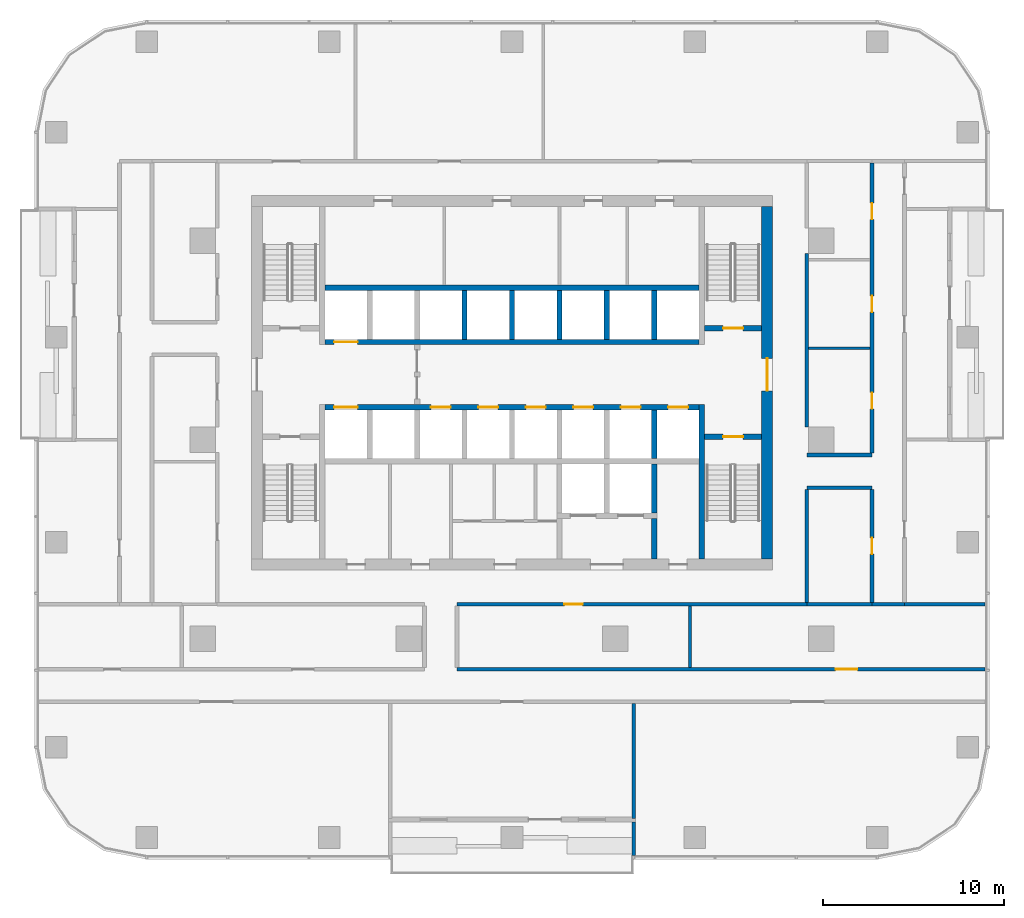
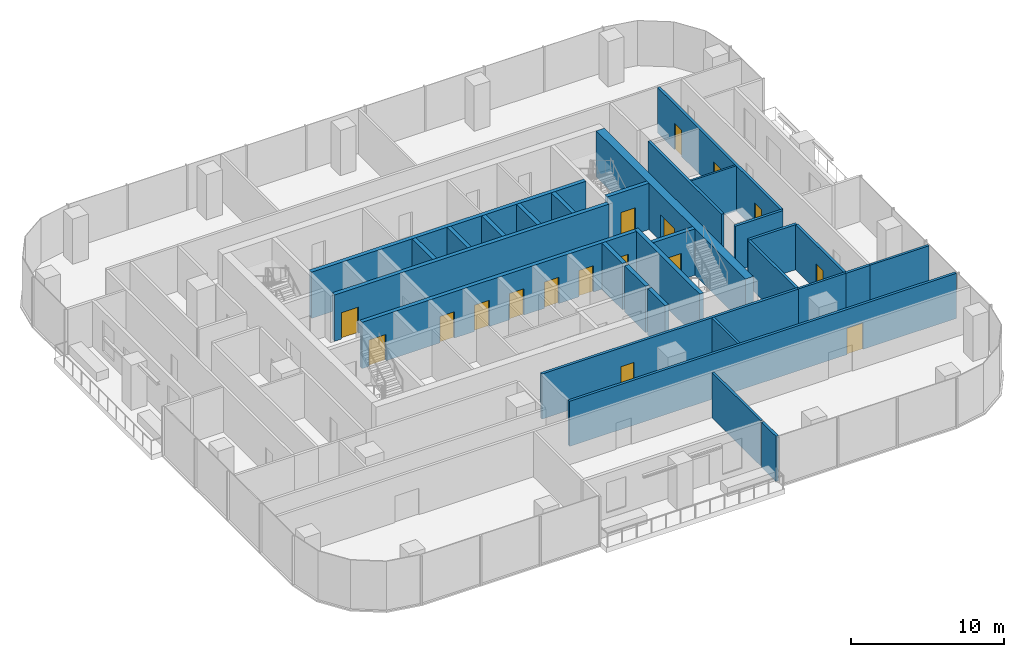
# One storey, part 9 of 15: 30 walls, 17 doors, 17 openings.
"""IFC4 building model written with IfcOpenShell, lengths in metres."""

from ifc_helpers import new_model, si_unit, direction, frame, frame_2d, origin, place, context, subcontext, project, spatial, rectangle, extrude, material, layer, layer_set, type_object, element, fill, save


model = new_model("IFC4")

# Units and contexts
model_context = context("Model", 3, precision=1e-05, world=origin(), true_north=direction((0.0, 1.0)))
body_context = subcontext(model_context, "Body", "Model", "MODEL_VIEW")
ifc_project = project(units=[si_unit("LENGTHUNIT", "METRE"), si_unit("AREAUNIT", "SQUARE_METRE"), si_unit("VOLUMEUNIT", "CUBIC_METRE"), si_unit("PLANEANGLEUNIT", "RADIAN"), si_unit("MASSUNIT", "GRAM", prefix="KILO")], contexts=[model_context])

# Site, building, storey
site_placement = place(None, origin())
site = spatial("IfcSite", under=ifc_project, at=site_placement, CompositionType="ELEMENT")
building_placement = place(site_placement, origin())
building = spatial("IfcBuilding", under=site, at=building_placement, Name="Mopane Tessera Tower", CompositionType="ELEMENT")
storey_placement = place(building_placement, frame((0.0, 0.0, 173.0)))
storey = spatial("IfcBuildingStorey", under=building, at=storey_placement, Name="L35", CompositionType="ELEMENT", Elevation=173.0)

# Wall, opening, door
ifc_material_1 = material(Name="Concrete C70/85", Category="concrete")
ifc_layer_1 = layer(ifc_material_1, 0.60009765625)
ifc_layer_set_1 = layer_set([ifc_layer_1], Name="Concrete C70/85")
wall_type_1 = type_object("IfcWallType", Name="Core shear wall 600 mm", PredefinedType="SHEAR", material=ifc_layer_set_1)
wall_1_placement = place(storey_placement, frame((14.10009765625, -6.60009765625, 0.0), z_axis=(0.0, 0.0, 1.0), x_axis=(0.0, 1.0, 0.0)))
wall_1 = element("IfcWall", 1, at=wall_1_placement, inside=storey, type_object=wall_type_1, Name="L35 Core wall east", PredefinedType="SHEAR", context=body_context, shape_type="SweptSolid", body=[
    extrude(rectangle(XDim=19.5, YDim=0.60009765625, at=frame_2d((9.75, 0.0))), origin(), (0.0, 0.0, 1.0), 3.699951171875),
])
opening_1_placement = place(wall_1_placement, frame((9.300048828125, 0.0, 0.0)))
opening_1 = element("IfcOpeningElement", 2, at=opening_1_placement, cuts=wall_1, Name="Opening SD2", PredefinedType="OPENING", context=body_context, shape_type="SweptSolid", body=[
    extrude(rectangle(XDim=1.800048828125, YDim=2.10009765625, at=frame_2d((0.89990234375, 1.050048828125))), frame((0.0, 0.31201171875, 0.0), z_axis=(0.0, -1.0, 0.0), x_axis=(1.0, 0.0, 0.0)), (0.0, 0.0, 1.0), 0.6240234375),
])
ifc_material_2 = material(Name="Steel fire door", Category="steel")
door_type_1 = type_object("IfcDoorType", Name="Core entrance double door 1800 x 2100", OperationType="DOUBLE_DOOR_SINGLE_SWING", PredefinedType="DOOR", material=ifc_material_2)
door_1_placement = place(opening_1_placement, origin())
door_1 = element("IfcDoor", 3, at=door_1_placement, inside=storey, type_object=door_type_1, Name="L35 Core entrance door east", OperationType="DOUBLE_DOOR_SINGLE_SWING", OverallHeight=2.10009765625, OverallWidth=1.800048828125, PredefinedType="DOOR", context=body_context, shape_type="SweptSolid", body=[
    extrude(rectangle(XDim=1.800048828125, YDim=2.10009765625, at=frame_2d((0.89990234375, 1.050048828125))), frame((0.0, 0.02490234375, 0.0), z_axis=(0.0, -1.0, 0.0), x_axis=(1.0, 0.0, 0.0)), (0.0, 0.0, 1.0), 0.050048828125),
])
fill(opening_1, door_1)

# Walls
ifc_material_3 = material(Name="Concrete C60/75", Category="concrete")
ifc_layer_2 = layer(ifc_material_3, 0.300048828125)
ifc_layer_set_2 = layer_set([ifc_layer_2], Name="Concrete C60/75")
wall_type_2 = type_object("IfcWallType", Name="Core spine wall 300 mm", PredefinedType="SHEAR", material=ifc_layer_set_2)
wall_2_placement = place(storey_placement, frame((10.5, -6.60009765625, 0.0), z_axis=(0.0, 0.0, 1.0), x_axis=(0.0, 1.0, 0.0)))
element("IfcWall", 4, at=wall_2_placement, inside=storey, type_object=wall_type_2, Name="L35 Core spine wall", PredefinedType="SHEAR", context=body_context, shape_type="SweptSolid", body=[
    extrude(rectangle(XDim=8.550048828125, YDim=0.300048828125, at=frame_2d((4.27490234375, 0.0))), origin(), (0.0, 0.0, 1.0), 3.699951171875),
])
ifc_material_4 = material(Name="Gypsum board on staggered steel studs, double layer each face, acoustic mineral wool infill", Category="steel")
ifc_layer_3 = layer(ifc_material_4, 0.175048828125)
ifc_layer_set_3 = layer_set([ifc_layer_3], Name="Gypsum board on staggered steel studs, double layer each face, acoustic mineral wool infill")
wall_type_3 = type_object("IfcWallType", Name="Gypsum board acoustic partition 175, rated EI 60", PredefinedType="PARTITIONING", material=ifc_layer_set_3)
wall_3_placement = place(storey_placement, frame((16.300048828125, -9.10009765625, 0.0), z_axis=(0.0, 0.0, 1.0), x_axis=(1.0, 0.0, 0.0)))
element("IfcWall", 5, at=wall_3_placement, inside=storey, type_object=wall_type_3, Name="Partition L35:006", PredefinedType="PARTITIONING", context=body_context, shape_type="SweptSolid", body=[
    extrude(rectangle(XDim=3.599853515625, YDim=0.175048828125, at=frame_2d((1.7998046875, 0.0))), origin(), (0.0, 0.0, 1.0), 3.60009765625),
])
wall_4_placement = place(storey_placement, frame((21.699951171875, -9.10009765625, 0.0), z_axis=(0.0, 0.0, 1.0), x_axis=(1.0, 0.0, 0.0)))
element("IfcWall", 6, at=wall_4_placement, inside=storey, type_object=wall_type_3, Name="Partition L35:007", PredefinedType="PARTITIONING", context=body_context, shape_type="SweptSolid", body=[
    extrude(rectangle(XDim=4.449951171875, YDim=0.175048828125, at=frame_2d((2.22509765625, 0.0))), origin(), (0.0, 0.0, 1.0), 3.60009765625),
])
wall_5_placement = place(storey_placement, frame((6.735107421875, -20.949951171875, 0.0), z_axis=(0.0, 0.0, 1.0), x_axis=(0.0, 1.0, 0.0)))
element("IfcWall", 7, at=wall_5_placement, inside=storey, type_object=wall_type_3, Name="Partition L35:042", PredefinedType="PARTITIONING", context=body_context, shape_type="SweptSolid", body=[
    extrude(rectangle(XDim=6.349853515625, YDim=0.175048828125, at=frame_2d((3.1748046875, 0.0))), origin(), (0.0, 0.0, 1.0), 3.60009765625),
])
wall_6_placement = place(storey_placement, frame((9.844970703125, -12.60009765625, 0.0), z_axis=(0.0, 0.0, 1.0), x_axis=(0.0, 1.0, 0.0)))
element("IfcWall", 8, at=wall_6_placement, inside=storey, type_object=wall_type_3, Name="Partition L35:043", PredefinedType="PARTITIONING", context=body_context, shape_type="SweptSolid", body=[
    extrude(rectangle(XDim=3.400146484375, YDim=0.175048828125, at=frame_2d((1.7001953125, 0.0))), origin(), (0.0, 0.0, 1.0), 3.60009765625),
])

# Wall, opening, door
ifc_material_5 = material(Name="Gypsum board on steel studs, two layers each face, mineral wool infill", Category="steel")
ifc_layer_4 = layer(ifc_material_5, 0.199951171875)
ifc_layer_set_4 = layer_set([ifc_layer_4], Name="Gypsum board on steel studs, two layers each face, mineral wool infill")
wall_type_4 = type_object("IfcWallType", Name="Gypsum board corridor wall 200, rated EI 60", PredefinedType="PARTITIONING", material=ifc_layer_set_4)
wall_7_placement = place(storey_placement, frame((-3.0400390625, -12.699951171875, 0.0), z_axis=(0.0, 0.0, 1.0), x_axis=(1.0, 0.0, 0.0)))
wall_7 = element("IfcWall", 9, at=wall_7_placement, inside=storey, type_object=wall_type_4, Name="Partition L35:002", PredefinedType="PARTITIONING", context=body_context, shape_type="SweptSolid", body=[
    extrude(rectangle(XDim=29.18994140625, YDim=0.199951171875, at=frame_2d((14.594970703125, 0.0))), origin(), (0.0, 0.0, 1.0), 3.60009765625),
])
opening_2_placement = place(wall_7_placement, frame((20.9375, 0.0, 0.0)))
opening_2 = element("IfcOpeningElement", 10, at=opening_2_placement, cuts=wall_7, Name="Opening L35-05", PredefinedType="OPENING", context=body_context, shape_type="SweptSolid", body=[
    extrude(rectangle(XDim=1.199951171875, YDim=2.10009765625, at=frame_2d((0.60009765625, 1.050048828125))), frame((0.0, 0.112060546875, 0.0), z_axis=(0.0, -1.0, 0.0), x_axis=(1.0, 0.0, 0.0)), (0.0, 0.0, 1.0), 0.223876953125),
])
ifc_material_6 = material(Name="Timber veneered steel-framed fire door", Category="steel")
door_type_2 = type_object("IfcDoorType", Name="Fire door FD60 1200 x 2100", OperationType="SINGLE_SWING_LEFT", PredefinedType="DOOR", material=ifc_material_6)
door_2_placement = place(opening_2_placement, origin())
door_2 = element("IfcDoor", 11, at=door_2_placement, inside=storey, type_object=door_type_2, Name="Door L35-05", ObjectType="D15A", OperationType="SINGLE_SWING_RIGHT", OverallHeight=2.10009765625, OverallWidth=1.199951171875, PredefinedType="DOOR", context=body_context, shape_type="SweptSolid", body=[
    extrude(rectangle(XDim=1.199951171875, YDim=2.10009765625, at=frame_2d((0.60009765625, 1.050048828125))), frame((0.0, 0.02490234375, 0.0), z_axis=(0.0, -1.0, 0.0), x_axis=(1.0, 0.0, 0.0)), (0.0, 0.0, 1.0), 0.050048828125),
])
fill(opening_2, door_2)

wall_8_placement = place(storey_placement, frame((-3.0400390625, -9.10009765625, 0.0), z_axis=(0.0, 0.0, 1.0), x_axis=(1.0, 0.0, 0.0)))
wall_8 = element("IfcWall", 12, at=wall_8_placement, inside=storey, type_object=wall_type_4, Name="Partition L35:010", PredefinedType="PARTITIONING", context=body_context, shape_type="SweptSolid", body=[
    extrude(rectangle(XDim=19.340087890625, YDim=0.199951171875, at=frame_2d((9.669921875, 0.0))), origin(), (0.0, 0.0, 1.0), 3.60009765625),
])
opening_3_placement = place(wall_8_placement, frame((5.9423828125, 0.0, 0.0)))
opening_3 = element("IfcOpeningElement", 13, at=opening_3_placement, cuts=wall_8, Name="Opening L35-12", PredefinedType="OPENING", context=body_context, shape_type="SweptSolid", body=[
    extrude(rectangle(XDim=1.0, YDim=2.10009765625, at=frame_2d((0.5, 1.050048828125))), frame((0.0, 0.112060546875, 0.0), z_axis=(0.0, -1.0, 0.0), x_axis=(1.0, 0.0, 0.0)), (0.0, 0.0, 1.0), 0.223876953125),
])
ifc_material_7 = material(Name="Timber veneered steel-framed fire door", Category="steel")
door_type_3 = type_object("IfcDoorType", Name="Fire door FD60 1000 x 2100", OperationType="SINGLE_SWING_LEFT", PredefinedType="DOOR", material=ifc_material_7)
door_3_placement = place(opening_3_placement, origin())
door_3 = element("IfcDoor", 14, at=door_3_placement, inside=storey, type_object=door_type_3, Name="Door L35-12", ObjectType="D12A", OperationType="SINGLE_SWING_RIGHT", OverallHeight=2.10009765625, OverallWidth=1.0, PredefinedType="DOOR", context=body_context, shape_type="SweptSolid", body=[
    extrude(rectangle(XDim=1.0, YDim=2.10009765625, at=frame_2d((0.5, 1.050048828125))), frame((0.0, 0.02490234375, 0.0), z_axis=(0.0, -1.0, 0.0), x_axis=(1.0, 0.0, 0.0)), (0.0, 0.0, 1.0), 0.050048828125),
])
fill(opening_3, door_3)

# Walls
wall_9_placement = place(storey_placement, frame((19.89990234375, -9.10009765625, 0.0), z_axis=(0.0, 0.0, 1.0), x_axis=(1.0, 0.0, 0.0)))
element("IfcWall", 15, at=wall_9_placement, inside=storey, type_object=wall_type_4, Name="Partition L35:011", PredefinedType="PARTITIONING", context=body_context, shape_type="SweptSolid", body=[
    extrude(rectangle(XDim=1.800048828125, YDim=0.199951171875, at=frame_2d((0.89990234375, 0.0))), origin(), (0.0, 0.0, 1.0), 3.60009765625),
])
for number, where, z_axis, x_axis, name in (
    (16, (16.300048828125, -2.64990234375, 0.0), (0.0, 0.0, 1.0), (1.0, 0.0, 0.0), "Partition L35:012"),
    (17, (16.300048828125, -0.85009765625, 0.0), (0.0, 0.0, 1.0), (1.0, 0.0, 0.0), "Partition L35:014"),
):
    element("IfcWall", number, at=place(storey_placement, frame(where, z_axis=z_axis, x_axis=x_axis)), inside=storey, type_object=wall_type_4, Name=name, PredefinedType="PARTITIONING", context=body_context, shape_type="SweptSolid", body=[
        extrude(rectangle(XDim=3.599853515625, YDim=0.199951171875, at=frame_2d((1.7998046875, 0.0))), origin(), (0.0, 0.0, 1.0), 3.60009765625),
    ])
wall_10_placement = place(storey_placement, frame((16.300048828125, -9.0, 0.0), z_axis=(0.0, 0.0, 1.0), x_axis=(0.0, 1.0, 0.0)))
element("IfcWall", 18, at=wall_10_placement, inside=storey, type_object=wall_type_4, Name="Partition L35:044", PredefinedType="PARTITIONING", context=body_context, shape_type="SweptSolid", body=[
    extrude(rectangle(XDim=6.25, YDim=0.199951171875, at=frame_2d((3.125, 0.0))), origin(), (0.0, 0.0, 1.0), 3.60009765625),
])
wall_11_placement = place(storey_placement, frame((16.300048828125, 0.699951171875, 0.0), z_axis=(0.0, 0.0, 1.0), x_axis=(0.0, 1.0, 0.0)))
element("IfcWall", 19, at=wall_11_placement, inside=storey, type_object=wall_type_4, Name="Partition L35:045", PredefinedType="PARTITIONING", context=body_context, shape_type="SweptSolid", body=[
    extrude(rectangle(XDim=9.60009765625, YDim=0.199951171875, at=frame_2d((4.800048828125, 0.0))), origin(), (0.0, 0.0, 1.0), 3.60009765625),
])

# Wall, opening, door
wall_12_placement = place(storey_placement, frame((19.89990234375, -9.0, 0.0), z_axis=(0.0, 0.0, 1.0), x_axis=(0.0, 1.0, 0.0)))
wall_12 = element("IfcWall", 20, at=wall_12_placement, inside=storey, type_object=wall_type_4, Name="Partition L35:047", PredefinedType="PARTITIONING", context=body_context, shape_type="SweptSolid", body=[
    extrude(rectangle(XDim=6.25, YDim=0.199951171875, at=frame_2d((3.125, 0.0))), origin(), (0.0, 0.0, 1.0), 3.60009765625),
])
opening_4_placement = place(wall_12_placement, frame((2.675048828125, 0.0, 0.0)))
opening_4 = element("IfcOpeningElement", 21, at=opening_4_placement, cuts=wall_12, Name="Opening L35-17", PredefinedType="OPENING", context=body_context, shape_type="SweptSolid", body=[
    extrude(rectangle(XDim=0.89990234375, YDim=2.10009765625, at=frame_2d((0.449951171875, 1.050048828125))), frame((0.0, 0.112060546875, 0.0), z_axis=(0.0, -1.0, 0.0), x_axis=(1.0, 0.0, 0.0)), (0.0, 0.0, 1.0), 0.223876953125),
])
ifc_material_8 = material(Name="Timber veneered steel-framed fire door", Category="steel")
door_type_4 = type_object("IfcDoorType", Name="Fire door FD60 900 x 2100", OperationType="SINGLE_SWING_LEFT", PredefinedType="DOOR", material=ifc_material_8)
door_4_placement = place(opening_4_placement, origin())
door_4 = element("IfcDoor", 22, at=door_4_placement, inside=storey, type_object=door_type_4, Name="Door L35-17", ObjectType="D10A", OperationType="SINGLE_SWING_RIGHT", OverallHeight=2.10009765625, OverallWidth=0.89990234375, PredefinedType="DOOR", context=body_context, shape_type="SweptSolid", body=[
    extrude(rectangle(XDim=0.89990234375, YDim=2.10009765625, at=frame_2d((0.449951171875, 1.050048828125))), frame((0.0, 0.02490234375, 0.0), z_axis=(0.0, -1.0, 0.0), x_axis=(1.0, 0.0, 0.0)), (0.0, 0.0, 1.0), 0.050048828125),
])
fill(opening_4, door_4)

# Wall, openings, doors
wall_13_placement = place(storey_placement, frame((19.89990234375, -0.75, 0.0), z_axis=(0.0, 0.0, 1.0), x_axis=(0.0, 1.0, 0.0)))
wall_13 = element("IfcWall", 23, at=wall_13_placement, inside=storey, type_object=wall_type_4, Name="Partition L35:048", PredefinedType="PARTITIONING", context=body_context, shape_type="SweptSolid", body=[
    extrude(rectangle(XDim=16.050048828125, YDim=0.199951171875, at=frame_2d((8.02490234375, 0.0))), origin(), (0.0, 0.0, 1.0), 3.60009765625),
])
opening_5_placement = place(wall_13_placement, frame((2.455078125, 0.0, 0.0)))
opening_5 = element("IfcOpeningElement", 24, at=opening_5_placement, cuts=wall_13, Name="Opening L35-06", PredefinedType="OPENING", context=body_context, shape_type="SweptSolid", body=[
    extrude(rectangle(XDim=0.89990234375, YDim=2.10009765625, at=frame_2d((0.449951171875, 1.050048828125))), frame((0.0, 0.112060546875, 0.0), z_axis=(0.0, -1.0, 0.0), x_axis=(1.0, 0.0, 0.0)), (0.0, 0.0, 1.0), 0.223876953125),
])
opening_6_placement = place(wall_13_placement, frame((7.802490234375, 0.0, 0.0)))
opening_6 = element("IfcOpeningElement", 25, at=opening_6_placement, cuts=wall_13, Name="Opening L35-11", PredefinedType="OPENING", context=body_context, shape_type="SweptSolid", body=[
    extrude(rectangle(XDim=0.89990234375, YDim=2.10009765625, at=frame_2d((0.449951171875, 1.050048828125))), frame((0.0, 0.112060546875, 0.0), z_axis=(0.0, -1.0, 0.0), x_axis=(1.0, 0.0, 0.0)), (0.0, 0.0, 1.0), 0.223876953125),
])
opening_7_placement = place(wall_13_placement, frame((12.922607421875, 0.0, 0.0)))
opening_7 = element("IfcOpeningElement", 26, at=opening_7_placement, cuts=wall_13, Name="Opening L35-18", PredefinedType="OPENING", context=body_context, shape_type="SweptSolid", body=[
    extrude(rectangle(XDim=0.89990234375, YDim=2.10009765625, at=frame_2d((0.449951171875, 1.050048828125))), frame((0.0, 0.112060546875, 0.0), z_axis=(0.0, -1.0, 0.0), x_axis=(1.0, 0.0, 0.0)), (0.0, 0.0, 1.0), 0.223876953125),
])
door_5_placement = place(opening_5_placement, origin())
door_5 = element("IfcDoor", 27, at=door_5_placement, inside=storey, type_object=door_type_4, Name="Door L35-06", ObjectType="D10A", OperationType="SINGLE_SWING_LEFT", OverallHeight=2.10009765625, OverallWidth=0.89990234375, PredefinedType="DOOR", context=body_context, shape_type="SweptSolid", body=[
    extrude(rectangle(XDim=0.89990234375, YDim=2.10009765625, at=frame_2d((0.449951171875, 1.050048828125))), frame((0.0, 0.02490234375, 0.0), z_axis=(0.0, -1.0, 0.0), x_axis=(1.0, 0.0, 0.0)), (0.0, 0.0, 1.0), 0.050048828125),
])
fill(opening_5, door_5)
door_6_placement = place(opening_6_placement, origin())
door_6 = element("IfcDoor", 28, at=door_6_placement, inside=storey, type_object=door_type_4, Name="Door L35-11", ObjectType="D10A", OperationType="SINGLE_SWING_RIGHT", OverallHeight=2.10009765625, OverallWidth=0.89990234375, PredefinedType="DOOR", context=body_context, shape_type="SweptSolid", body=[
    extrude(rectangle(XDim=0.89990234375, YDim=2.10009765625, at=frame_2d((0.449951171875, 1.050048828125))), frame((0.0, 0.02490234375, 0.0), z_axis=(0.0, -1.0, 0.0), x_axis=(1.0, 0.0, 0.0)), (0.0, 0.0, 1.0), 0.050048828125),
])
fill(opening_6, door_6)
door_7_placement = place(opening_7_placement, origin())
door_7 = element("IfcDoor", 29, at=door_7_placement, inside=storey, type_object=door_type_4, Name="Door L35-18", ObjectType="D10A", OperationType="SINGLE_SWING_LEFT", OverallHeight=2.10009765625, OverallWidth=0.89990234375, PredefinedType="DOOR", context=body_context, shape_type="SweptSolid", body=[
    extrude(rectangle(XDim=0.89990234375, YDim=2.10009765625, at=frame_2d((0.449951171875, 1.050048828125))), frame((0.0, 0.02490234375, 0.0), z_axis=(0.0, -1.0, 0.0), x_axis=(1.0, 0.0, 0.0)), (0.0, 0.0, 1.0), 0.050048828125),
])
fill(opening_7, door_7)

# Wall
ifc_material_9 = material(Name="Gypsum board on steel studs, mineral wool infill", Category="steel")
ifc_layer_5 = layer(ifc_material_9, 0.14990234375)
ifc_layer_set_5 = layer_set([ifc_layer_5], Name="Gypsum board on steel studs, mineral wool infill")
wall_type_5 = type_object("IfcWallType", Name="Gypsum board partition 150, rated EI 60", PredefinedType="PARTITIONING", material=ifc_layer_set_5)
wall_14_placement = place(storey_placement, frame((16.39990234375, 5.06005859375, 0.0), z_axis=(0.0, 0.0, 1.0), x_axis=(1.0, 0.0, 0.0)))
element("IfcWall", 30, at=wall_14_placement, inside=storey, type_object=wall_type_5, Name="Partition L35:018", PredefinedType="PARTITIONING", context=body_context, shape_type="SweptSolid", body=[
    extrude(rectangle(XDim=3.400146484375, YDim=0.14990234375, at=frame_2d((1.7001953125, 0.0))), origin(), (0.0, 0.0, 1.0), 3.60009765625),
])

# Wall, opening, door
ifc_material_10 = material(Name="Concrete C50/60", Category="concrete")
ifc_layer_6 = layer(ifc_material_10, 0.300048828125)
ifc_layer_set_6 = layer_set([ifc_layer_6], Name="Concrete C50/60")
wall_type_6 = type_object("IfcWallType", Name="Lift and stair shaft wall 300 mm", PredefinedType="SOLIDWALL", material=ifc_layer_set_6)
wall_15_placement = place(storey_placement, frame((10.64990234375, 0.14990234375, 0.0), z_axis=(0.0, 0.0, 1.0), x_axis=(1.0, 0.0, 0.0)))
wall_15 = element("IfcWall", 31, at=wall_15_placement, inside=storey, type_object=wall_type_6, Name="L35 Stair enclosure wall", PredefinedType="SOLIDWALL", context=body_context, shape_type="SweptSolid", body=[
    extrude(rectangle(XDim=3.150146484375, YDim=0.300048828125, at=frame_2d((1.5751953125, 0.0))), origin(), (0.0, 0.0, 1.0), 3.699951171875),
])
opening_8_placement = place(wall_15_placement, frame((1.02490234375, 0.0, 0.0)))
opening_8 = element("IfcOpeningElement", 32, at=opening_8_placement, cuts=wall_15, Name="Opening SD1", PredefinedType="OPENING", context=body_context, shape_type="SweptSolid", body=[
    extrude(rectangle(XDim=1.10009765625, YDim=2.10009765625, at=frame_2d((0.550048828125, 1.050048828125))), frame((0.0, 0.162109375, 0.0), z_axis=(0.0, -1.0, 0.0), x_axis=(1.0, 0.0, 0.0)), (0.0, 0.0, 1.0), 0.323974609375),
])
ifc_material_11 = material(Name="Steel fire door", Category="steel")
door_type_5 = type_object("IfcDoorType", Name="Stair fire door 1100 x 2100", OperationType="SINGLE_SWING_LEFT", PredefinedType="DOOR", material=ifc_material_11)
door_8_placement = place(opening_8_placement, origin())
door_8 = element("IfcDoor", 33, at=door_8_placement, inside=storey, type_object=door_type_5, Name="L35 Stair door ST3", OperationType="SINGLE_SWING_RIGHT", OverallHeight=2.10009765625, OverallWidth=1.10009765625, PredefinedType="DOOR", context=body_context, shape_type="SweptSolid", body=[
    extrude(rectangle(XDim=1.10009765625, YDim=2.10009765625, at=frame_2d((0.550048828125, 1.050048828125))), frame((0.0, 0.02490234375, 0.0), z_axis=(0.0, -1.0, 0.0), x_axis=(1.0, 0.0, 0.0)), (0.0, 0.0, 1.0), 0.050048828125),
])
fill(opening_8, door_8)

wall_16_placement = place(storey_placement, frame((10.64990234375, 6.14990234375, 0.0), z_axis=(0.0, 0.0, 1.0), x_axis=(1.0, 0.0, 0.0)))
wall_16 = element("IfcWall", 34, at=wall_16_placement, inside=storey, type_object=wall_type_6, Name="L35 Stair enclosure wall", PredefinedType="SOLIDWALL", context=body_context, shape_type="SweptSolid", body=[
    extrude(rectangle(XDim=3.150146484375, YDim=0.300048828125, at=frame_2d((1.5751953125, 0.0))), origin(), (0.0, 0.0, 1.0), 3.699951171875),
])
opening_9_placement = place(wall_16_placement, frame((1.02490234375, 0.0, 0.0)))
opening_9 = element("IfcOpeningElement", 35, at=opening_9_placement, cuts=wall_16, Name="Opening SD1", PredefinedType="OPENING", context=body_context, shape_type="SweptSolid", body=[
    extrude(rectangle(XDim=1.10009765625, YDim=2.10009765625, at=frame_2d((0.550048828125, 1.050048828125))), frame((0.0, 0.162109375, 0.0), z_axis=(0.0, -1.0, 0.0), x_axis=(1.0, 0.0, 0.0)), (0.0, 0.0, 1.0), 0.323974609375),
])
door_9_placement = place(opening_9_placement, origin())
door_9 = element("IfcDoor", 36, at=door_9_placement, inside=storey, type_object=door_type_5, Name="L35 Stair door ST4", OperationType="SINGLE_SWING_RIGHT", OverallHeight=2.10009765625, OverallWidth=1.10009765625, PredefinedType="DOOR", context=body_context, shape_type="SweptSolid", body=[
    extrude(rectangle(XDim=1.10009765625, YDim=2.10009765625, at=frame_2d((0.550048828125, 1.050048828125))), frame((0.0, 0.02490234375, 0.0), z_axis=(0.0, -1.0, 0.0), x_axis=(1.0, 0.0, 0.0)), (0.0, 0.0, 1.0), 0.050048828125),
])
fill(opening_9, door_9)

# Wall, openings, doors
wall_17_placement = place(storey_placement, frame((-10.35009765625, 1.800048828125, 0.0), z_axis=(0.0, 0.0, 1.0), x_axis=(1.0, 0.0, 0.0)))
wall_17 = element("IfcWall", 37, at=wall_17_placement, inside=storey, type_object=wall_type_6, Name="L35 Lift shaft front wall", PredefinedType="SOLIDWALL", context=body_context, shape_type="SweptSolid", body=[
    extrude(rectangle(XDim=20.7001953125, YDim=0.300048828125, at=frame_2d((10.35009765625, 0.0))), origin(), (0.0, 0.0, 1.0), 3.699951171875),
])
opening_10_placement = place(wall_17_placement, frame((0.512451171875, 0.0, 0.0)))
opening_10 = element("IfcOpeningElement", 38, at=opening_10_placement, cuts=wall_17, Name="Opening LD2", PredefinedType="OPENING", context=body_context, shape_type="SweptSolid", body=[
    extrude(rectangle(XDim=1.300048828125, YDim=2.10009765625, at=frame_2d((0.64990234375, 1.050048828125))), frame((0.0, 0.162109375, 0.0), z_axis=(0.0, -1.0, 0.0), x_axis=(1.0, 0.0, 0.0)), (0.0, 0.0, 1.0), 0.323974609375),
])
opening_11_placement = place(wall_17_placement, frame((5.862548828125, 0.0, 0.0)))
opening_11 = element("IfcOpeningElement", 39, at=opening_11_placement, cuts=wall_17, Name="Opening LD", PredefinedType="OPENING", context=body_context, shape_type="SweptSolid", body=[
    extrude(rectangle(XDim=1.10009765625, YDim=2.10009765625, at=frame_2d((0.550048828125, 1.050048828125))), frame((0.0, 0.162109375, 0.0), z_axis=(0.0, -1.0, 0.0), x_axis=(1.0, 0.0, 0.0)), (0.0, 0.0, 1.0), 0.323974609375),
])
opening_12_placement = place(wall_17_placement, frame((8.487548828125, 0.0, 0.0)))
opening_12 = element("IfcOpeningElement", 40, at=opening_12_placement, cuts=wall_17, Name="Opening LD", PredefinedType="OPENING", context=body_context, shape_type="SweptSolid", body=[
    extrude(rectangle(XDim=1.10009765625, YDim=2.10009765625, at=frame_2d((0.550048828125, 1.050048828125))), frame((0.0, 0.162109375, 0.0), z_axis=(0.0, -1.0, 0.0), x_axis=(1.0, 0.0, 0.0)), (0.0, 0.0, 1.0), 0.323974609375),
])
opening_13_placement = place(wall_17_placement, frame((11.112548828125, 0.0, 0.0)))
opening_13 = element("IfcOpeningElement", 41, at=opening_13_placement, cuts=wall_17, Name="Opening LD", PredefinedType="OPENING", context=body_context, shape_type="SweptSolid", body=[
    extrude(rectangle(XDim=1.10009765625, YDim=2.10009765625, at=frame_2d((0.550048828125, 1.050048828125))), frame((0.0, 0.162109375, 0.0), z_axis=(0.0, -1.0, 0.0), x_axis=(1.0, 0.0, 0.0)), (0.0, 0.0, 1.0), 0.323974609375),
])
opening_14_placement = place(wall_17_placement, frame((13.737548828125, 0.0, 0.0)))
opening_14 = element("IfcOpeningElement", 42, at=opening_14_placement, cuts=wall_17, Name="Opening LD", PredefinedType="OPENING", context=body_context, shape_type="SweptSolid", body=[
    extrude(rectangle(XDim=1.10009765625, YDim=2.10009765625, at=frame_2d((0.550048828125, 1.050048828125))), frame((0.0, 0.162109375, 0.0), z_axis=(0.0, -1.0, 0.0), x_axis=(1.0, 0.0, 0.0)), (0.0, 0.0, 1.0), 0.323974609375),
])
opening_15_placement = place(wall_17_placement, frame((16.362548828125, 0.0, 0.0)))
opening_15 = element("IfcOpeningElement", 43, at=opening_15_placement, cuts=wall_17, Name="Opening LD", PredefinedType="OPENING", context=body_context, shape_type="SweptSolid", body=[
    extrude(rectangle(XDim=1.10009765625, YDim=2.10009765625, at=frame_2d((0.550048828125, 1.050048828125))), frame((0.0, 0.162109375, 0.0), z_axis=(0.0, -1.0, 0.0), x_axis=(1.0, 0.0, 0.0)), (0.0, 0.0, 1.0), 0.323974609375),
])
opening_16_placement = place(wall_17_placement, frame((18.987548828125, 0.0, 0.0)))
opening_16 = element("IfcOpeningElement", 44, at=opening_16_placement, cuts=wall_17, Name="Opening LD", PredefinedType="OPENING", context=body_context, shape_type="SweptSolid", body=[
    extrude(rectangle(XDim=1.10009765625, YDim=2.10009765625, at=frame_2d((0.550048828125, 1.050048828125))), frame((0.0, 0.162109375, 0.0), z_axis=(0.0, -1.0, 0.0), x_axis=(1.0, 0.0, 0.0)), (0.0, 0.0, 1.0), 0.323974609375),
])
ifc_material_12 = material(Name="Stainless steel sliding door", Category="steel")
door_type_6 = type_object("IfcDoorType", Name="Fire-fighting lift landing door 1300 x 2100", OperationType="DOUBLE_DOOR_SLIDING", PredefinedType="DOOR", material=ifc_material_12)
door_10_placement = place(opening_10_placement, origin())
door_10 = element("IfcDoor", 45, at=door_10_placement, inside=storey, type_object=door_type_6, Name="L35 Lift landing door FF1", OperationType="DOUBLE_DOOR_SLIDING", OverallHeight=2.10009765625, OverallWidth=1.300048828125, PredefinedType="DOOR", context=body_context, shape_type="SweptSolid", body=[
    extrude(rectangle(XDim=1.300048828125, YDim=2.10009765625, at=frame_2d((0.64990234375, 1.050048828125))), frame((0.0, 0.02490234375, 0.0), z_axis=(0.0, -1.0, 0.0), x_axis=(1.0, 0.0, 0.0)), (0.0, 0.0, 1.0), 0.050048828125),
])
fill(opening_10, door_10)
ifc_material_13 = material(Name="Stainless steel sliding door", Category="steel")
door_type_7 = type_object("IfcDoorType", Name="Lift landing door 1100 x 2100", OperationType="DOUBLE_DOOR_SLIDING", PredefinedType="DOOR", material=ifc_material_13)
door_11_placement = place(opening_11_placement, origin())
door_11 = element("IfcDoor", 46, at=door_11_placement, inside=storey, type_object=door_type_7, Name="L35 Lift landing door LR1", OperationType="DOUBLE_DOOR_SLIDING", OverallHeight=2.10009765625, OverallWidth=1.10009765625, PredefinedType="DOOR", context=body_context, shape_type="SweptSolid", body=[
    extrude(rectangle(XDim=1.10009765625, YDim=2.10009765625, at=frame_2d((0.550048828125, 1.050048828125))), frame((0.0, 0.02490234375, 0.0), z_axis=(0.0, -1.0, 0.0), x_axis=(1.0, 0.0, 0.0)), (0.0, 0.0, 1.0), 0.050048828125),
])
fill(opening_11, door_11)
door_12_placement = place(opening_12_placement, origin())
door_12 = element("IfcDoor", 47, at=door_12_placement, inside=storey, type_object=door_type_7, Name="L35 Lift landing door LR2", OperationType="DOUBLE_DOOR_SLIDING", OverallHeight=2.10009765625, OverallWidth=1.10009765625, PredefinedType="DOOR", context=body_context, shape_type="SweptSolid", body=[
    extrude(rectangle(XDim=1.10009765625, YDim=2.10009765625, at=frame_2d((0.550048828125, 1.050048828125))), frame((0.0, 0.02490234375, 0.0), z_axis=(0.0, -1.0, 0.0), x_axis=(1.0, 0.0, 0.0)), (0.0, 0.0, 1.0), 0.050048828125),
])
fill(opening_12, door_12)
door_13_placement = place(opening_13_placement, origin())
door_13 = element("IfcDoor", 48, at=door_13_placement, inside=storey, type_object=door_type_7, Name="L35 Lift landing door LR3", OperationType="DOUBLE_DOOR_SLIDING", OverallHeight=2.10009765625, OverallWidth=1.10009765625, PredefinedType="DOOR", context=body_context, shape_type="SweptSolid", body=[
    extrude(rectangle(XDim=1.10009765625, YDim=2.10009765625, at=frame_2d((0.550048828125, 1.050048828125))), frame((0.0, 0.02490234375, 0.0), z_axis=(0.0, -1.0, 0.0), x_axis=(1.0, 0.0, 0.0)), (0.0, 0.0, 1.0), 0.050048828125),
])
fill(opening_13, door_13)
door_14_placement = place(opening_14_placement, origin())
door_14 = element("IfcDoor", 49, at=door_14_placement, inside=storey, type_object=door_type_7, Name="L35 Lift landing door LR4", OperationType="DOUBLE_DOOR_SLIDING", OverallHeight=2.10009765625, OverallWidth=1.10009765625, PredefinedType="DOOR", context=body_context, shape_type="SweptSolid", body=[
    extrude(rectangle(XDim=1.10009765625, YDim=2.10009765625, at=frame_2d((0.550048828125, 1.050048828125))), frame((0.0, 0.02490234375, 0.0), z_axis=(0.0, -1.0, 0.0), x_axis=(1.0, 0.0, 0.0)), (0.0, 0.0, 1.0), 0.050048828125),
])
fill(opening_14, door_14)
door_15_placement = place(opening_15_placement, origin())
door_15 = element("IfcDoor", 50, at=door_15_placement, inside=storey, type_object=door_type_7, Name="L35 Lift landing door LR5", OperationType="DOUBLE_DOOR_SLIDING", OverallHeight=2.10009765625, OverallWidth=1.10009765625, PredefinedType="DOOR", context=body_context, shape_type="SweptSolid", body=[
    extrude(rectangle(XDim=1.10009765625, YDim=2.10009765625, at=frame_2d((0.550048828125, 1.050048828125))), frame((0.0, 0.02490234375, 0.0), z_axis=(0.0, -1.0, 0.0), x_axis=(1.0, 0.0, 0.0)), (0.0, 0.0, 1.0), 0.050048828125),
])
fill(opening_15, door_15)
door_16_placement = place(opening_16_placement, origin())
door_16 = element("IfcDoor", 51, at=door_16_placement, inside=storey, type_object=door_type_7, Name="L35 Lift landing door LR6", OperationType="DOUBLE_DOOR_SLIDING", OverallHeight=2.10009765625, OverallWidth=1.10009765625, PredefinedType="DOOR", context=body_context, shape_type="SweptSolid", body=[
    extrude(rectangle(XDim=1.10009765625, YDim=2.10009765625, at=frame_2d((0.550048828125, 1.050048828125))), frame((0.0, 0.02490234375, 0.0), z_axis=(0.0, -1.0, 0.0), x_axis=(1.0, 0.0, 0.0)), (0.0, 0.0, 1.0), 0.050048828125),
])
fill(opening_16, door_16)

# Wall, opening, door
wall_18_placement = place(storey_placement, frame((-10.35009765625, 5.39990234375, 0.0), z_axis=(0.0, 0.0, 1.0), x_axis=(1.0, 0.0, 0.0)))
wall_18 = element("IfcWall", 52, at=wall_18_placement, inside=storey, type_object=wall_type_6, Name="L35 Lift shaft front wall", PredefinedType="SOLIDWALL", context=body_context, shape_type="SweptSolid", body=[
    extrude(rectangle(XDim=20.7001953125, YDim=0.300048828125, at=frame_2d((10.35009765625, 0.0))), origin(), (0.0, 0.0, 1.0), 3.699951171875),
])
opening_17_placement = place(wall_18_placement, frame((0.512451171875, 0.0, 0.0)))
opening_17 = element("IfcOpeningElement", 53, at=opening_17_placement, cuts=wall_18, Name="Opening LD2", PredefinedType="OPENING", context=body_context, shape_type="SweptSolid", body=[
    extrude(rectangle(XDim=1.300048828125, YDim=2.10009765625, at=frame_2d((0.64990234375, 1.050048828125))), frame((0.0, 0.162109375, 0.0), z_axis=(0.0, -1.0, 0.0), x_axis=(1.0, 0.0, 0.0)), (0.0, 0.0, 1.0), 0.323974609375),
])
door_17_placement = place(opening_17_placement, origin())
door_17 = element("IfcDoor", 54, at=door_17_placement, inside=storey, type_object=door_type_6, Name="L35 Lift landing door FF2", OperationType="DOUBLE_DOOR_SLIDING", OverallHeight=2.10009765625, OverallWidth=1.300048828125, PredefinedType="DOOR", context=body_context, shape_type="SweptSolid", body=[
    extrude(rectangle(XDim=1.300048828125, YDim=2.10009765625, at=frame_2d((0.64990234375, 1.050048828125))), frame((0.0, 0.02490234375, 0.0), z_axis=(0.0, -1.0, 0.0), x_axis=(1.0, 0.0, 0.0)), (0.0, 0.0, 1.0), 0.050048828125),
])
fill(opening_17, door_17)

# Walls
wall_19_placement = place(storey_placement, frame((-10.35009765625, 8.39990234375, 0.0), z_axis=(0.0, 0.0, 1.0), x_axis=(1.0, 0.0, 0.0)))
element("IfcWall", 55, at=wall_19_placement, inside=storey, type_object=wall_type_6, Name="L35 Lift shaft rear wall", PredefinedType="SOLIDWALL", context=body_context, shape_type="SweptSolid", body=[
    extrude(rectangle(XDim=20.7001953125, YDim=0.300048828125, at=frame_2d((10.35009765625, 0.0))), origin(), (0.0, 0.0, 1.0), 3.699951171875),
])
for number, where, z_axis, x_axis, name in (
    (56, (7.875, -1.050048828125, 0.0), (0.0, 0.0, 1.0), (0.0, 1.0, 0.0), "L35 Lift shaft wall"),
    (57, (-2.625, 5.550048828125, 0.0), (0.0, 0.0, 1.0), (0.0, 1.0, 0.0), "L35 Lift shaft wall"),
    (58, (0.0, 5.550048828125, 0.0), (0.0, 0.0, 1.0), (0.0, 1.0, 0.0), "L35 Lift shaft wall"),
    (59, (2.625, 5.550048828125, 0.0), (0.0, 0.0, 1.0), (0.0, 1.0, 0.0), "L35 Lift shaft wall"),
    (60, (5.25, 5.550048828125, 0.0), (0.0, 0.0, 1.0), (0.0, 1.0, 0.0), "L35 Lift shaft wall"),
    (61, (7.875, 5.550048828125, 0.0), (0.0, 0.0, 1.0), (0.0, 1.0, 0.0), "L35 Lift shaft wall"),
    (62, (7.875, -4.050048828125, 0.0), (0.0, 0.0, 1.0), (0.0, 1.0, 0.0), "L35 Lift shaft wall"),
):
    element("IfcWall", number, at=place(storey_placement, frame(where, z_axis=z_axis, x_axis=x_axis)), inside=storey, type_object=wall_type_6, Name=name, PredefinedType="SOLIDWALL", context=body_context, shape_type="SweptSolid", body=[
        extrude(rectangle(XDim=2.699951171875, YDim=0.300048828125, at=frame_2d((1.35009765625, 0.0))), origin(), (0.0, 0.0, 1.0), 3.699951171875),
    ])
ifc_material_14 = material(Name="Concrete C50/60", Category="concrete")
ifc_layer_7 = layer(ifc_material_14, 0.300048828125)
ifc_layer_set_7 = layer_set([ifc_layer_7], Name="Concrete C50/60")
wall_type_7 = type_object("IfcWallType", Name="Lobby and refuge room wall 300 mm", PredefinedType="SOLIDWALL", material=ifc_layer_set_7)
wall_20_placement = place(storey_placement, frame((7.875, -6.60009765625, 0.0), z_axis=(0.0, 0.0, 1.0), x_axis=(0.0, 1.0, 0.0)))
element("IfcWall", 63, at=wall_20_placement, inside=storey, type_object=wall_type_7, Name="L35 Service lobby wall", PredefinedType="SOLIDWALL", context=body_context, shape_type="SweptSolid", body=[
    extrude(rectangle(XDim=2.25, YDim=0.300048828125, at=frame_2d((1.125, 0.0))), origin(), (0.0, 0.0, 1.0), 3.699951171875),
])
ifc_material_15 = material(Name="Blockwork with glazed tile facing", Category="masonry")
ifc_layer_8 = layer(ifc_material_15, 0.199951171875)
ifc_layer_set_8 = layer_set([ifc_layer_8], Name="Blockwork with glazed tile facing")
wall_type_8 = type_object("IfcWallType", Name="Terrace cheek wall 200", PredefinedType="STANDARD", material=ifc_layer_set_8)
wall_21_placement = place(storey_placement, frame((6.7333984375, -23.0, 0.0), z_axis=(0.0, 0.0, 1.0), x_axis=(0.0, 1.0, 0.0)))
element("IfcWall", 64, at=wall_21_placement, inside=storey, type_object=wall_type_8, Name="e:nw:L35:N2:cheekb", PredefinedType="STANDARD", context=body_context, shape_type="SweptSolid", body=[
    extrude(rectangle(XDim=1.875, YDim=0.199951171875, at=frame_2d((0.9375, 0.0))), origin(), (0.0, 0.0, 1.0), 3.60009765625),
])

save(model, "model.ifc")
